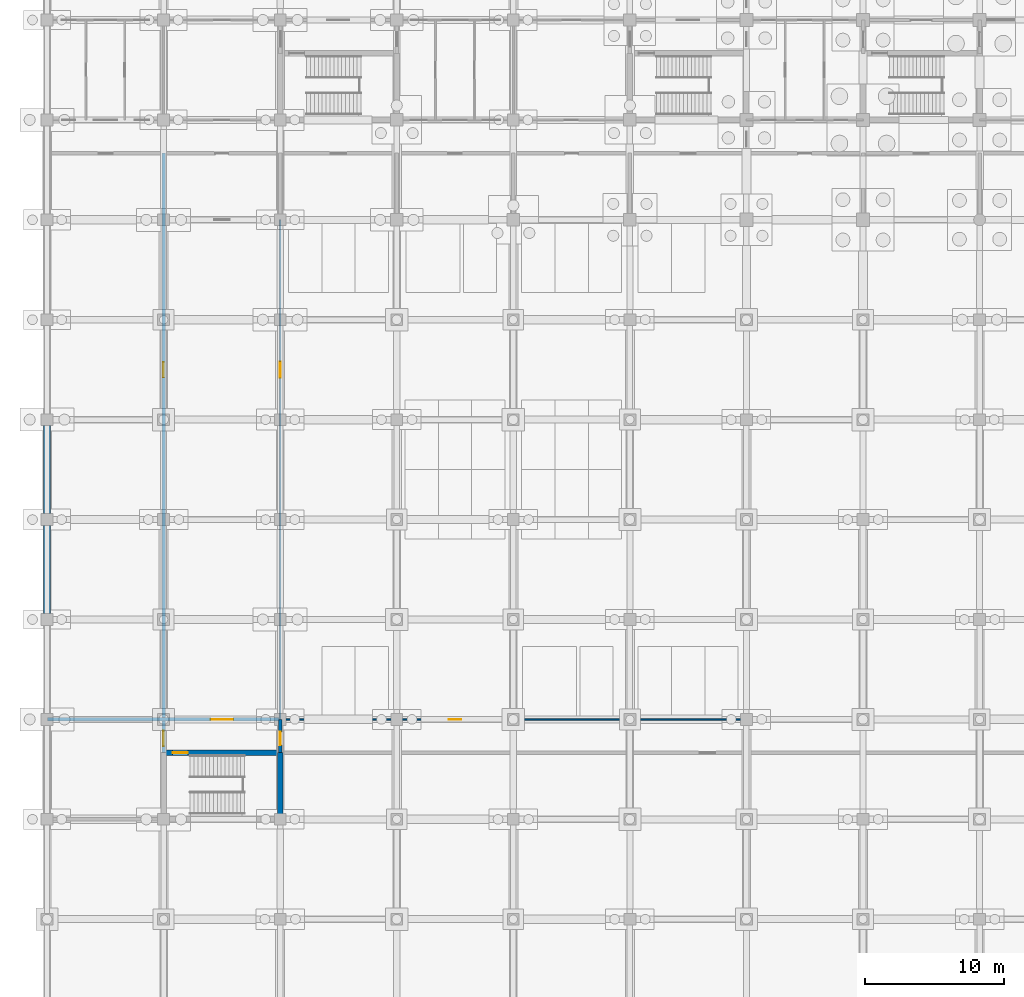
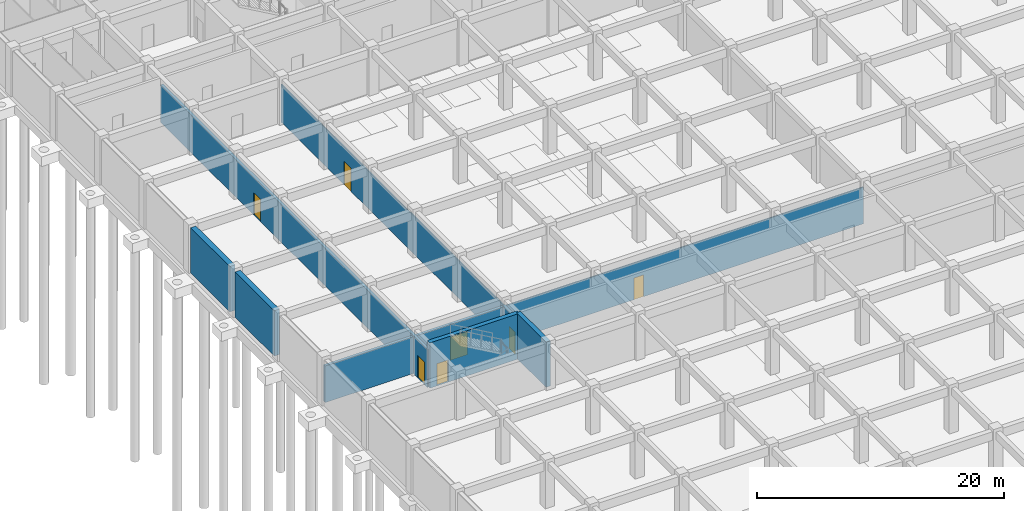
# One storey, part 26 of 85: 9 walls, 7 doors, 7 openings.
"""IFC4 building model written with IfcOpenShell, lengths in metres."""

from ifc_helpers import new_model, si_unit, direction, frame, frame_2d, origin, place, context, subcontext, project, spatial, rectangle, extrude, material, layer, layer_set, type_object, element, fill, save


model = new_model("IFC4")

# Units and contexts
model_context = context("Model", 3, precision=1e-05, world=origin(), true_north=direction((0.0, 1.0)))
body_context = subcontext(model_context, "Body", "Model", "MODEL_VIEW")
ifc_project = project(units=[si_unit("LENGTHUNIT", "METRE"), si_unit("AREAUNIT", "SQUARE_METRE"), si_unit("VOLUMEUNIT", "CUBIC_METRE"), si_unit("PLANEANGLEUNIT", "RADIAN"), si_unit("MASSUNIT", "GRAM", prefix="KILO")], contexts=[model_context])

# Site, building, storey
site_placement = place(None, origin())
site = spatial("IfcSite", under=ifc_project, at=site_placement, CompositionType="ELEMENT")
building_placement = place(site_placement, origin())
building = spatial("IfcBuilding", under=site, at=building_placement, Name="Chengyuan Square Courthouse", CompositionType="ELEMENT")
storey_placement = place(building_placement, frame((0.0, 0.0, -10.199951171875)))
storey = spatial("IfcBuildingStorey", under=building, at=storey_placement, Name="B02", CompositionType="ELEMENT", Elevation=-10.199951171875)

# Wall, opening, door
ifc_material_1 = material(Name="Concrete C40", Category="concrete")
ifc_layer_1 = layer(ifc_material_1, 0.25)
ifc_layer_set_1 = layer_set([ifc_layer_1], Name="Concrete C40")
wall_type_1 = type_object("IfcWallType", Name="WL-FW1", PredefinedType="STANDARD", material=ifc_layer_set_1)
wall_1_placement = place(storey_placement, frame((0.0400390625, 43.199951171875, 0.0), z_axis=(0.0, 0.0, 1.0), x_axis=(1.0, 0.0, 0.0)))
wall_1 = element("IfcWall", 1, at=wall_1_placement, inside=storey, type_object=wall_type_1, Name="Interior Wall WL-B02-I011", PredefinedType="STANDARD", context=body_context, shape_type="SweptSolid", body=[
    extrude(rectangle(XDim=16.760009765625, YDim=0.25, at=frame_2d((8.3798828125, 0.0))), origin(), (0.0, 0.0, 1.0), 3.6298828125),
])
opening_1_placement = place(wall_1_placement, frame((11.760009765625, 0.0, 0.0)))
opening_1 = element("IfcOpeningElement", 2, at=opening_1_placement, cuts=wall_1, Name="Opening DR-041", PredefinedType="OPENING", context=body_context, shape_type="SweptSolid", body=[
    extrude(rectangle(XDim=1.60009765625, YDim=2.300048828125, at=frame_2d((0.800048828125, 1.14990234375))), frame((0.0, 0.136962890625, 0.0), z_axis=(0.0, -1.0, 0.0), x_axis=(1.0, 0.0, 0.0)), (0.0, 0.0, 1.0), 0.27392578125),
])
ifc_material_2 = material(Name="Steel Q235B Glazed Fire Door", Category="steel")
door_type_1 = type_object("IfcDoorType", Name="DT-17", OperationType="DOUBLE_DOOR_SINGLE_SWING", PredefinedType="DOOR", material=ifc_material_2)
door_1_placement = place(opening_1_placement, frame((1.60009765625, 0.0, 0.0), z_axis=(0.0, 0.0, 1.0), x_axis=(-1.0, 0.0, 0.0)))
door_1 = element("IfcDoor", 3, at=door_1_placement, inside=storey, type_object=door_type_1, Name="Interior Door DR-041", OperationType="DOUBLE_DOOR_SINGLE_SWING", OverallHeight=2.300048828125, OverallWidth=1.60009765625, PredefinedType="DOOR", context=body_context, shape_type="SweptSolid", body=[
    extrude(rectangle(XDim=1.60009765625, YDim=2.300048828125, at=frame_2d((0.800048828125, 1.14990234375))), frame((0.0, 0.02490234375, 0.0), z_axis=(0.0, -1.0, 0.0), x_axis=(1.0, 0.0, 0.0)), (0.0, 0.0, 1.0), 0.050048828125),
])
fill(opening_1, door_1)

# Wall, openings, doors
wall_2_placement = place(storey_placement, frame((8.39990234375, 40.800048828125, 0.0), z_axis=(0.0, 0.0, 1.0), x_axis=(0.0, 1.0, 0.0)))
wall_2 = element("IfcWall", 4, at=wall_2_placement, inside=storey, type_object=wall_type_1, Name="Interior Wall WL-B02-I117", PredefinedType="STANDARD", context=body_context, shape_type="SweptSolid", body=[
    extrude(rectangle(XDim=43.199951171875, YDim=0.25, at=frame_2d((21.60009765625, 0.0))), origin(), (0.0, 0.0, 1.0), 3.72998046875),
])
opening_2_placement = place(wall_2_placement, frame((0.4775390625, 0.0, 0.0)))
opening_2 = element("IfcOpeningElement", 5, at=opening_2_placement, cuts=wall_2, Name="Opening DR-040", PredefinedType="OPENING", context=body_context, shape_type="SweptSolid", body=[
    extrude(rectangle(XDim=1.10009765625, YDim=2.199951171875, at=frame_2d((0.550048828125, 1.10009765625))), frame((0.0, 0.136962890625, 0.0), z_axis=(0.0, -1.0, 0.0), x_axis=(1.0, 0.0, 0.0)), (0.0, 0.0, 1.0), 0.27392578125),
])
opening_3_placement = place(wall_2_placement, frame((27.050048828125, 0.0, 0.0)))
opening_3 = element("IfcOpeningElement", 6, at=opening_3_placement, cuts=wall_2, Name="Opening DR-331", PredefinedType="OPENING", context=body_context, shape_type="SweptSolid", body=[
    extrude(rectangle(XDim=1.10009765625, YDim=2.199951171875, at=frame_2d((0.550048828125, 1.10009765625))), frame((0.0, 0.136962890625, 0.0), z_axis=(0.0, -1.0, 0.0), x_axis=(1.0, 0.0, 0.0)), (0.0, 0.0, 1.0), 0.27392578125),
])
ifc_material_3 = material(Name="Steel Q235B Fire Door", Category="steel")
door_type_2 = type_object("IfcDoorType", Name="DT-10", OperationType="NOTDEFINED", PredefinedType="DOOR", material=ifc_material_3)
door_2_placement = place(opening_2_placement, origin())
door_2 = element("IfcDoor", 7, at=door_2_placement, inside=storey, type_object=door_type_2, Name="Interior Door DR-040", OperationType="SINGLE_SWING_RIGHT", OverallHeight=2.199951171875, OverallWidth=1.10009765625, PredefinedType="DOOR", context=body_context, shape_type="SweptSolid", body=[
    extrude(rectangle(XDim=1.10009765625, YDim=2.199951171875, at=frame_2d((0.550048828125, 1.10009765625))), frame((0.0, 0.02490234375, 0.0), z_axis=(0.0, -1.0, 0.0), x_axis=(1.0, 0.0, 0.0)), (0.0, 0.0, 1.0), 0.050048828125),
])
fill(opening_2, door_2)
door_3_placement = place(opening_3_placement, origin())
door_3 = element("IfcDoor", 8, at=door_3_placement, inside=storey, type_object=door_type_2, Name="Interior Door DR-331", OperationType="SINGLE_SWING_RIGHT", OverallHeight=2.199951171875, OverallWidth=1.10009765625, PredefinedType="DOOR", context=body_context, shape_type="SweptSolid", body=[
    extrude(rectangle(XDim=1.10009765625, YDim=2.199951171875, at=frame_2d((0.550048828125, 1.10009765625))), frame((0.0, 0.02490234375, 0.0), z_axis=(0.0, -1.0, 0.0), x_axis=(1.0, 0.0, 0.0)), (0.0, 0.0, 1.0), 0.050048828125),
])
fill(opening_3, door_3)

# Wall, opening, door
wall_3_placement = place(storey_placement, frame((16.800048828125, 40.800048828125, 0.0), z_axis=(0.0, 0.0, 1.0), x_axis=(0.0, 1.0, 0.0)))
wall_3 = element("IfcWall", 9, at=wall_3_placement, inside=storey, type_object=wall_type_1, Name="Interior Wall WL-B02-I123", PredefinedType="STANDARD", context=body_context, shape_type="SweptSolid", body=[
    extrude(rectangle(XDim=2.39990234375, YDim=0.25, at=frame_2d((1.199951171875, 0.0))), origin(), (0.0, 0.0, 1.0), 3.72998046875),
])
opening_4_placement = place(wall_3_placement, frame((0.552490234375, 0.0, 0.0)))
opening_4 = element("IfcOpeningElement", 10, at=opening_4_placement, cuts=wall_3, Name="Opening DR-039", PredefinedType="OPENING", context=body_context, shape_type="SweptSolid", body=[
    extrude(rectangle(XDim=0.949951171875, YDim=2.14990234375, at=frame_2d((0.47509765625, 1.074951171875))), frame((0.0, 0.136962890625, 0.0), z_axis=(0.0, -1.0, 0.0), x_axis=(1.0, 0.0, 0.0)), (0.0, 0.0, 1.0), 0.27392578125),
])
door_type_3 = type_object("IfcDoorType", Name="DT-12", OperationType="NOTDEFINED", PredefinedType="DOOR", material=ifc_material_3)
door_4_placement = place(opening_4_placement, origin())
door_4 = element("IfcDoor", 11, at=door_4_placement, inside=storey, type_object=door_type_3, Name="Interior Door DR-039", OperationType="SINGLE_SWING_LEFT", OverallHeight=2.14990234375, OverallWidth=0.949951171875, PredefinedType="DOOR", context=body_context, shape_type="SweptSolid", body=[
    extrude(rectangle(XDim=0.949951171875, YDim=2.14990234375, at=frame_2d((0.47509765625, 1.074951171875))), frame((0.0, 0.02490234375, 0.0), z_axis=(0.0, -1.0, 0.0), x_axis=(1.0, 0.0, 0.0)), (0.0, 0.0, 1.0), 0.050048828125),
])
fill(opening_4, door_4)

ifc_material_4 = material(Name="Gypsum Plasterboard Acoustic Stud Partition")
ifc_layer_2 = layer(ifc_material_4, 0.10009765625)
ifc_layer_set_2 = layer_set([ifc_layer_2], Name="Gypsum Plasterboard Acoustic Stud Partition")
wall_type_2 = type_object("IfcWallType", Name="WL-PT6", PredefinedType="STANDARD", material=ifc_layer_set_2)
wall_4_placement = place(storey_placement, frame((16.800048828125, 43.199951171875, 0.0), z_axis=(0.0, 0.0, 1.0), x_axis=(1.0, 0.0, 0.0)))
wall_4 = element("IfcWall", 12, at=wall_4_placement, inside=storey, type_object=wall_type_2, Name="Interior Wall WL-B02-I012", PredefinedType="STANDARD", context=body_context, shape_type="SweptSolid", body=[
    extrude(rectangle(XDim=33.599853515625, YDim=0.10009765625, at=frame_2d((16.7998046875, 0.0))), origin(), (0.0, 0.0, 1.0), 3.6298828125),
])
opening_5_placement = place(wall_4_placement, frame((12.139892578125, 0.0, 0.0)))
opening_5 = element("IfcOpeningElement", 13, at=opening_5_placement, cuts=wall_4, Name="Opening DR-326", PredefinedType="OPENING", context=body_context, shape_type="SweptSolid", body=[
    extrude(rectangle(XDim=0.919921875, YDim=2.14990234375, at=frame_2d((0.4599609375, 1.074951171875))), frame((0.0, 0.06201171875, 0.0), z_axis=(0.0, -1.0, 0.0), x_axis=(1.0, 0.0, 0.0)), (0.0, 0.0, 1.0), 0.1240234375),
])
ifc_material_5 = material(Name="Acoustic Solid-Core Timber Door", Category="wood")
door_type_4 = type_object("IfcDoorType", Name="DT-29", OperationType="NOTDEFINED", PredefinedType="DOOR", material=ifc_material_5)
door_5_placement = place(opening_5_placement, origin())
door_5 = element("IfcDoor", 14, at=door_5_placement, inside=storey, type_object=door_type_4, Name="Interior Door DR-326", OperationType="SINGLE_SWING_LEFT", OverallHeight=2.14990234375, OverallWidth=0.919921875, PredefinedType="DOOR", context=body_context, shape_type="SweptSolid", body=[
    extrude(rectangle(XDim=0.919921875, YDim=2.14990234375, at=frame_2d((0.4599609375, 1.074951171875))), frame((0.0, 0.02490234375, 0.0), z_axis=(0.0, -1.0, 0.0), x_axis=(1.0, 0.0, 0.0)), (0.0, 0.0, 1.0), 0.050048828125),
])
fill(opening_5, door_5)

wall_5_placement = place(storey_placement, frame((16.800048828125, 43.199951171875, 0.0), z_axis=(0.0, 0.0, 1.0), x_axis=(0.0, 1.0, 0.0)))
wall_5 = element("IfcWall", 15, at=wall_5_placement, inside=storey, type_object=wall_type_2, Name="Interior Wall WL-B02-I124", PredefinedType="STANDARD", context=body_context, shape_type="SweptSolid", body=[
    extrude(rectangle(XDim=36.0, YDim=0.10009765625, at=frame_2d((18.0, 0.0))), origin(), (0.0, 0.0, 1.0), 3.72998046875),
])
opening_6_placement = place(wall_5_placement, frame((24.6201171875, 0.0, 0.0)))
opening_6 = element("IfcOpeningElement", 16, at=opening_6_placement, cuts=wall_5, Name="Opening DR-332", PredefinedType="OPENING", context=body_context, shape_type="SweptSolid", body=[
    extrude(rectangle(XDim=1.159912109375, YDim=2.300048828125, at=frame_2d((0.580078125, 1.14990234375))), frame((0.0, 0.06201171875, 0.0), z_axis=(0.0, -1.0, 0.0), x_axis=(1.0, 0.0, 0.0)), (0.0, 0.0, 1.0), 0.1240234375),
])
door_type_5 = type_object("IfcDoorType", Name="DT-35", OperationType="NOTDEFINED", PredefinedType="DOOR", material=ifc_material_5)
door_6_placement = place(opening_6_placement, origin())
door_6 = element("IfcDoor", 17, at=door_6_placement, inside=storey, type_object=door_type_5, Name="Interior Door DR-332", OperationType="SINGLE_SWING_LEFT", OverallHeight=2.300048828125, OverallWidth=1.159912109375, PredefinedType="DOOR", context=body_context, shape_type="SweptSolid", body=[
    extrude(rectangle(XDim=1.159912109375, YDim=2.300048828125, at=frame_2d((0.580078125, 1.14990234375))), frame((0.0, 0.02490234375, 0.0), z_axis=(0.0, -1.0, 0.0), x_axis=(1.0, 0.0, 0.0)), (0.0, 0.0, 1.0), 0.050048828125),
])
fill(opening_6, door_6)

# Walls
ifc_layer_3 = layer(ifc_material_1, 0.5)
ifc_layer_set_3 = layer_set([ifc_layer_3], Name="Concrete C40")
wall_type_3 = type_object("IfcWallType", Name="WL-RW1", PredefinedType="USERDEFINED", material=ifc_layer_set_3)
for number, where, z_axis, x_axis, name in (
    (18, (0.0, 50.820068359375, 0.0), (0.0, 0.0, 1.0), (0.0, 1.0, 0.0), "Basement Retaining Wall WL-B02-E009"),
    (19, (0.0, 58.02001953125, 0.0), (0.0, 0.0, 1.0), (0.0, 1.0, 0.0), "Basement Retaining Wall WL-B02-E010"),
):
    element("IfcWall", number, at=place(storey_placement, frame(where, z_axis=z_axis, x_axis=x_axis)), inside=storey, type_object=wall_type_3, Name=name, ObjectType="RETAININGWALL", PredefinedType="USERDEFINED", context=body_context, shape_type="SweptSolid", body=[
        extrude(rectangle(XDim=6.35986328125, YDim=0.5, at=frame_2d((3.179931640625, 0.0))), origin(), (0.0, 0.0, 1.0), 4.47998046875),
    ])

# Wall, opening, door
ifc_material_6 = material(Name="Concrete C50", Category="concrete")
ifc_layer_4 = layer(ifc_material_6, 0.39990234375)
ifc_layer_set_4 = layer_set([ifc_layer_4], Name="Concrete C50")
wall_type_4 = type_object("IfcWallType", Name="WL-SW1", PredefinedType="SHEAR", material=ifc_layer_set_4)
wall_6_placement = place(storey_placement, frame((8.39990234375, 40.800048828125, 0.0), z_axis=(0.0, 0.0, 1.0), x_axis=(1.0, 0.0, 0.0)))
wall_6 = element("IfcWall", 20, at=wall_6_placement, inside=storey, type_object=wall_type_4, Name="Interior Wall WL-B02-I007", PredefinedType="SHEAR", context=body_context, shape_type="SweptSolid", body=[
    extrude(rectangle(XDim=8.400146484375, YDim=0.39990234375, at=frame_2d((4.2001953125, 0.0))), origin(), (0.0, 0.0, 1.0), 4.47998046875),
])
opening_7_placement = place(wall_6_placement, frame((0.64990234375, 0.0, 0.0)))
opening_7 = element("IfcOpeningElement", 21, at=opening_7_placement, cuts=wall_6, Name="Opening DR-017", PredefinedType="OPENING", context=body_context, shape_type="SweptSolid", body=[
    extrude(rectangle(XDim=1.10009765625, YDim=2.199951171875, at=frame_2d((0.550048828125, 1.10009765625))), frame((0.0, 0.2119140625, 0.0), z_axis=(0.0, -1.0, 0.0), x_axis=(1.0, 0.0, 0.0)), (0.0, 0.0, 1.0), 0.423828125),
])
door_7_placement = place(opening_7_placement, frame((1.10009765625, 0.0, 0.0), z_axis=(0.0, 0.0, 1.0), x_axis=(-1.0, 0.0, 0.0)))
door_7 = element("IfcDoor", 22, at=door_7_placement, inside=storey, type_object=door_type_2, Name="Smoke-Proof Stairwell Fire Door ST-7 DR-017", OperationType="SINGLE_SWING_LEFT", OverallHeight=2.199951171875, OverallWidth=1.10009765625, PredefinedType="DOOR", context=body_context, shape_type="SweptSolid", body=[
    extrude(rectangle(XDim=1.10009765625, YDim=2.199951171875, at=frame_2d((0.550048828125, 1.10009765625))), frame((0.0, 0.02490234375, 0.0), z_axis=(0.0, -1.0, 0.0), x_axis=(1.0, 0.0, 0.0)), (0.0, 0.0, 1.0), 0.050048828125),
])
fill(opening_7, door_7)

# Wall
wall_7_placement = place(storey_placement, frame((16.800048828125, 36.0, 0.0), z_axis=(0.0, 0.0, 1.0), x_axis=(0.0, 1.0, 0.0)))
element("IfcWall", 23, at=wall_7_placement, inside=storey, type_object=wall_type_4, Name="Interior Wall WL-B02-I122", PredefinedType="SHEAR", context=body_context, shape_type="SweptSolid", body=[
    extrude(rectangle(XDim=4.800048828125, YDim=0.39990234375, at=frame_2d((2.39990234375, 0.0))), origin(), (0.0, 0.0, 1.0), 4.47998046875),
])

save(model, "model.ifc")
